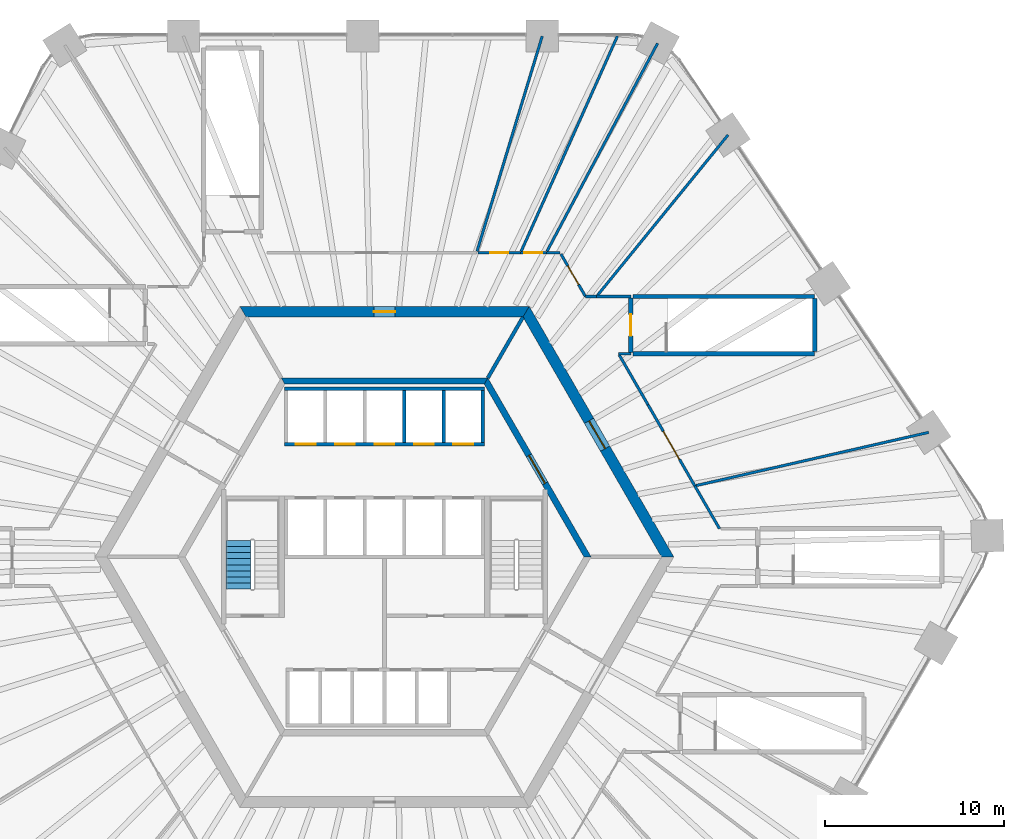
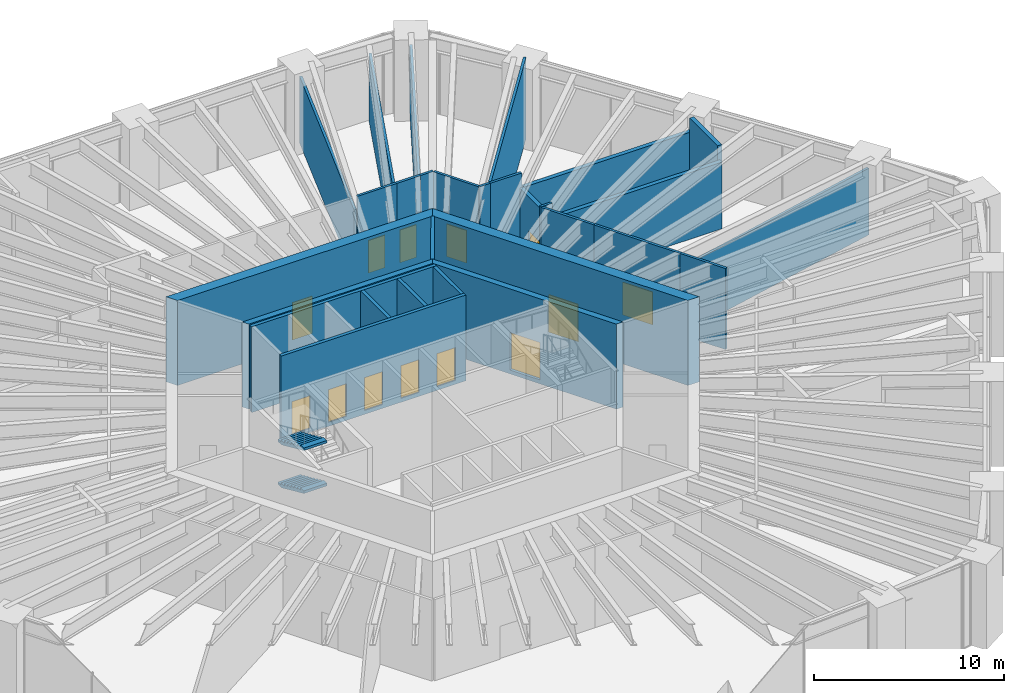
# One storey, part 23 of 25: 29 walls, 13 doors, 2 stair flights, 13 openings, 1 element without a shape of its own.
"""IFC4 building model written with IfcOpenShell, lengths in metres."""

from ifc_helpers import new_model, si_unit, direction, frame, frame_2d, origin, place, context, subcontext, project, spatial, polyline, rectangle, outline, extrude, material, layer, layer_set, type_object, element, fill, aggregate, save


model = new_model("IFC4")

# Units and contexts
model_context = context("Model", 3, precision=1e-05, world=origin(), true_north=direction((0.0, 1.0)))
body_context = subcontext(model_context, "Body", "Model", "MODEL_VIEW")
ifc_project = project(units=[si_unit("LENGTHUNIT", "METRE"), si_unit("AREAUNIT", "SQUARE_METRE"), si_unit("VOLUMEUNIT", "CUBIC_METRE"), si_unit("PLANEANGLEUNIT", "RADIAN"), si_unit("MASSUNIT", "GRAM", prefix="KILO")], contexts=[model_context])

# Site, building, storey
site_placement = place(None, origin())
site = spatial("IfcSite", under=ifc_project, at=site_placement, CompositionType="ELEMENT")
building_placement = place(site_placement, origin())
building = spatial("IfcBuilding", under=site, at=building_placement, Name="Tarnside Tower", CompositionType="ELEMENT")
storey_placement = place(building_placement, frame((0.0, 0.0, 26.0)))
storey = spatial("IfcBuildingStorey", under=building, at=storey_placement, Name="L04", CompositionType="ELEMENT", Elevation=26.0)

# Wall, opening, door
ifc_material_1 = material(Name="Concrete C50/60", Category="concrete")
ifc_layer_1 = layer(ifc_material_1, 0.35009765625)
ifc_layer_set_1 = layer_set([ifc_layer_1], Name="Core block wall 350 C50/60")
wall_type_1 = type_object("IfcWallType", Name="Core block wall 350 C50/60", PredefinedType="SHEAR", material=ifc_layer_set_1)
wall_1_placement = place(storey_placement, frame((11.344970703125, 0.0, -0.25), z_axis=(0.0, 0.0, 1.0), x_axis=(-0.499995046907, 0.866028263435, 0.0)))
wall_1 = element("IfcWall", 1, at=wall_1_placement, inside=storey, type_object=wall_type_1, Name="L04 core block wall face 6", PredefinedType="SHEAR", context=body_context, shape_type="SweptSolid", body=[
    extrude(outline(polyline([(-0.10107421875, -0.175048828125), (11.44580078125, -0.175048828125), (11.24365234375, 0.175048828125), (0.10107421875, 0.175048828125), (-0.10107421875, -0.175048828125)])), origin(), (0.0, 0.0, 1.0), 5.449951171875),
])
opening_1_placement = place(wall_1_placement, frame((4.74365234375, 0.0, 0.25)))
opening_1 = element("IfcOpeningElement", 2, at=opening_1_placement, cuts=wall_1, Name="Opening CD-LOB", PredefinedType="OPENING", context=body_context, shape_type="SweptSolid", body=[
    extrude(rectangle(XDim=1.800048828125, YDim=2.39990234375, at=frame_2d((0.89990234375, 1.199951171875))), frame((0.0, 0.18505859375, 0.0), z_axis=(0.0, -1.0, 0.0), x_axis=(1.0, 0.0, 0.0)), (0.0, 0.0, 1.0), 0.3701171875),
])
ifc_material_2 = material(Name="Steel fire door", Category="steel")
door_type_1 = type_object("IfcDoorType", Name="Lobby double door FD30S 1800x2400", OperationType="NOTDEFINED", PredefinedType="DOOR", material=ifc_material_2)
door_1_placement = place(opening_1_placement, origin())
door_1 = element("IfcDoor", 3, at=door_1_placement, inside=storey, type_object=door_type_1, Name="L04 lobby block door P2", OperationType="DOUBLE_DOOR_SINGLE_SWING", OverallHeight=2.39990234375, OverallWidth=1.800048828125, PredefinedType="DOOR", context=body_context, shape_type="SweptSolid", body=[
    extrude(rectangle(XDim=1.800048828125, YDim=2.39990234375, at=frame_2d((0.89990234375, 1.199951171875))), frame((0.0, 0.02490234375, 0.0), z_axis=(0.0, -1.0, 0.0), x_axis=(1.0, 0.0, 0.0)), (0.0, 0.0, 1.0), 0.050048828125),
])
fill(opening_1, door_1)

# Wall
wall_2_placement = place(storey_placement, frame((5.672607421875, 9.824951171875, -0.25), z_axis=(0.0, 0.0, 1.0), x_axis=(-1.0, 0.0, 0.0)))
element("IfcWall", 4, at=wall_2_placement, inside=storey, type_object=wall_type_1, Name="L04 core block wall face 1", PredefinedType="SHEAR", context=body_context, shape_type="SweptSolid", body=[
    extrude(outline(polyline([(-0.10107421875, -0.175048828125), (11.4462890625, -0.175048828125), (11.244140625, 0.175048828125), (0.10107421875, 0.175048828125), (-0.10107421875, -0.175048828125)])), origin(), (0.0, 0.0, 1.0), 5.449951171875),
])

# Wall, opening, door
ifc_material_3 = material(Name="Concrete C80/95", Category="concrete")
ifc_layer_2 = layer(ifc_material_3, 0.60009765625)
ifc_layer_set_2 = layer_set([ifc_layer_2], Name="Core wall Z1 600 C80/95")
wall_type_2 = type_object("IfcWallType", Name="Core wall Z1 600 C80/95", PredefinedType="SHEAR", material=ifc_layer_set_2)
wall_3_placement = place(storey_placement, frame((15.8193359375, 0.0, -0.25), z_axis=(0.0, 0.0, 1.0), x_axis=(-0.499999880136, 0.866025472988, 0.0)))
wall_3 = element("IfcWall", 5, at=wall_3_placement, inside=storey, type_object=wall_type_2, Name="L04 core wall face 6", PredefinedType="SHEAR", context=body_context, shape_type="SweptSolid", body=[
    extrude(outline(polyline([(-0.17333984375, -0.300048828125), (15.99267578125, -0.300048828125), (15.64599609375, 0.300048828125), (0.17333984375, 0.300048828125), (-0.17333984375, -0.300048828125)])), origin(), (0.0, 0.0, 1.0), 5.449951171875),
])
opening_2_placement = place(wall_3_placement, frame((6.980712890625, 0.0, 0.25)))
opening_2 = element("IfcOpeningElement", 6, at=opening_2_placement, cuts=wall_3, Name="Opening CD-LOB", PredefinedType="OPENING", context=body_context, shape_type="SweptSolid", body=[
    extrude(rectangle(XDim=1.800048828125, YDim=2.39990234375, at=frame_2d((0.89990234375, 1.199951171875))), frame((0.0, 0.31005859375, 0.0), z_axis=(0.0, -1.0, 0.0), x_axis=(1.0, 0.0, 0.0)), (0.0, 0.0, 1.0), 0.6201171875),
])
door_2_placement = place(opening_2_placement, origin())
door_2 = element("IfcDoor", 7, at=door_2_placement, inside=storey, type_object=door_type_1, Name="L04 core door P2", OperationType="DOUBLE_DOOR_SINGLE_SWING", OverallHeight=2.39990234375, OverallWidth=1.800048828125, PredefinedType="DOOR", context=body_context, shape_type="SweptSolid", body=[
    extrude(rectangle(XDim=1.800048828125, YDim=2.39990234375, at=frame_2d((0.89990234375, 1.199951171875))), frame((0.0, 0.02490234375, 0.0), z_axis=(0.0, -1.0, 0.0), x_axis=(1.0, 0.0, 0.0)), (0.0, 0.0, 1.0), 0.050048828125),
])
fill(opening_2, door_2)

wall_4_placement = place(storey_placement, frame((7.90966796875, 13.699951171875, -0.25), z_axis=(0.0, 0.0, 1.0), x_axis=(-1.0, 0.0, 0.0)))
wall_4 = element("IfcWall", 8, at=wall_4_placement, inside=storey, type_object=wall_type_2, Name="L04 core wall face 1", PredefinedType="SHEAR", context=body_context, shape_type="SweptSolid", body=[
    extrude(outline(polyline([(-0.17333984375, -0.300048828125), (15.99267578125, -0.300048828125), (15.64599609375, 0.300048828125), (0.17333984375, 0.300048828125), (-0.17333984375, -0.300048828125)])), origin(), (0.0, 0.0, 1.0), 5.449951171875),
])
opening_3_placement = place(wall_4_placement, frame((7.309814453125, 0.0, 0.25)))
opening_3 = element("IfcOpeningElement", 9, at=opening_3_placement, cuts=wall_4, Name="Opening CD-RSR", PredefinedType="OPENING", context=body_context, shape_type="SweptSolid", body=[
    extrude(rectangle(XDim=1.199951171875, YDim=2.39990234375, at=frame_2d((0.60009765625, 1.199951171875))), frame((0.0, 0.31005859375, 0.0), z_axis=(0.0, -1.0, 0.0), x_axis=(1.0, 0.0, 0.0)), (0.0, 0.0, 1.0), 0.6201171875),
])
door_type_2 = type_object("IfcDoorType", Name="Riser door FD60 1200x2400", OperationType="NOTDEFINED", PredefinedType="DOOR", material=ifc_material_2)
door_3_placement = place(opening_3_placement, origin())
door_3 = element("IfcDoor", 10, at=door_3_placement, inside=storey, type_object=door_type_2, Name="L04 core door S5", OperationType="SINGLE_SWING_LEFT", OverallHeight=2.39990234375, OverallWidth=1.199951171875, PredefinedType="DOOR", context=body_context, shape_type="SweptSolid", body=[
    extrude(rectangle(XDim=1.199951171875, YDim=2.39990234375, at=frame_2d((0.60009765625, 1.199951171875))), frame((0.0, 0.02490234375, 0.0), z_axis=(0.0, -1.0, 0.0), x_axis=(1.0, 0.0, 0.0)), (0.0, 0.0, 1.0), 0.050048828125),
])
fill(opening_3, door_3)

# Wall, openings, doors
ifc_material_4 = material(Name="Concrete C40/50", Category="concrete")
ifc_layer_3 = layer(ifc_material_4, 0.199951171875)
ifc_layer_set_3 = layer_set([ifc_layer_3], Name="Lift shaft wall 200 C40/50")
wall_type_3 = type_object("IfcWallType", Name="Lift shaft wall 200 C40/50", PredefinedType="SHEAR", material=ifc_layer_set_3)
wall_5_placement = place(storey_placement, frame((-5.60009765625, 6.300048828125, -0.25), z_axis=(0.0, 0.0, 1.0), x_axis=(1.0, 0.0, 0.0)))
wall_5 = element("IfcWall", 11, at=wall_5_placement, inside=storey, type_object=wall_type_3, Name="L04 lift shaft front wall R1", PredefinedType="SHEAR", context=body_context, shape_type="SweptSolid", body=[
    extrude(rectangle(XDim=11.2001953125, YDim=0.199951171875, at=frame_2d((5.60009765625, 0.0))), origin(), (0.0, 0.0, 1.0), 5.5),
])
opening_4_placement = place(wall_5_placement, frame((0.64990234375, 0.0, 0.25)))
opening_4 = element("IfcOpeningElement", 12, at=opening_4_placement, cuts=wall_5, Name="Opening LD", PredefinedType="OPENING", context=body_context, shape_type="SweptSolid", body=[
    extrude(rectangle(XDim=1.10009765625, YDim=2.10009765625, at=frame_2d((0.550048828125, 1.050048828125))), frame((0.0, 0.10986328125, 0.0), z_axis=(0.0, -1.0, 0.0), x_axis=(1.0, 0.0, 0.0)), (0.0, 0.0, 1.0), 0.219970703125),
])
opening_5_placement = place(wall_5_placement, frame((2.85009765625, 0.0, 0.25)))
opening_5 = element("IfcOpeningElement", 13, at=opening_5_placement, cuts=wall_5, Name="Opening LD", PredefinedType="OPENING", context=body_context, shape_type="SweptSolid", body=[
    extrude(rectangle(XDim=1.10009765625, YDim=2.10009765625, at=frame_2d((0.550048828125, 1.050048828125))), frame((0.0, 0.10986328125, 0.0), z_axis=(0.0, -1.0, 0.0), x_axis=(1.0, 0.0, 0.0)), (0.0, 0.0, 1.0), 0.219970703125),
])
opening_6_placement = place(wall_5_placement, frame((5.050048828125, 0.0, 0.25)))
opening_6 = element("IfcOpeningElement", 14, at=opening_6_placement, cuts=wall_5, Name="Opening LD", PredefinedType="OPENING", context=body_context, shape_type="SweptSolid", body=[
    extrude(rectangle(XDim=1.10009765625, YDim=2.10009765625, at=frame_2d((0.550048828125, 1.050048828125))), frame((0.0, 0.10986328125, 0.0), z_axis=(0.0, -1.0, 0.0), x_axis=(1.0, 0.0, 0.0)), (0.0, 0.0, 1.0), 0.219970703125),
])
opening_7_placement = place(wall_5_placement, frame((7.25, 0.0, 0.25)))
opening_7 = element("IfcOpeningElement", 15, at=opening_7_placement, cuts=wall_5, Name="Opening LD", PredefinedType="OPENING", context=body_context, shape_type="SweptSolid", body=[
    extrude(rectangle(XDim=1.10009765625, YDim=2.10009765625, at=frame_2d((0.550048828125, 1.050048828125))), frame((0.0, 0.10986328125, 0.0), z_axis=(0.0, -1.0, 0.0), x_axis=(1.0, 0.0, 0.0)), (0.0, 0.0, 1.0), 0.219970703125),
])
opening_8_placement = place(wall_5_placement, frame((9.449951171875, 0.0, 0.25)))
opening_8 = element("IfcOpeningElement", 16, at=opening_8_placement, cuts=wall_5, Name="Opening LD", PredefinedType="OPENING", context=body_context, shape_type="SweptSolid", body=[
    extrude(rectangle(XDim=1.10009765625, YDim=2.10009765625, at=frame_2d((0.550048828125, 1.050048828125))), frame((0.0, 0.10986328125, 0.0), z_axis=(0.0, -1.0, 0.0), x_axis=(1.0, 0.0, 0.0)), (0.0, 0.0, 1.0), 0.219970703125),
])
ifc_material_5 = material(Name="Stainless steel", Category="steel")
door_type_3 = type_object("IfcDoorType", Name="Lift landing door 1100x2100", OperationType="NOTDEFINED", PredefinedType="DOOR", material=ifc_material_5)
door_4_placement = place(opening_4_placement, origin())
door_4 = element("IfcDoor", 17, at=door_4_placement, inside=storey, type_object=door_type_3, Name="Low-rise lift 1 landing door L04", OperationType="SLIDING_TO_LEFT", OverallHeight=2.10009765625, OverallWidth=1.10009765625, PredefinedType="DOOR", context=body_context, shape_type="SweptSolid", body=[
    extrude(rectangle(XDim=1.10009765625, YDim=2.10009765625, at=frame_2d((0.550048828125, 1.050048828125))), frame((0.0, 0.02490234375, 0.0), z_axis=(0.0, -1.0, 0.0), x_axis=(1.0, 0.0, 0.0)), (0.0, 0.0, 1.0), 0.050048828125),
])
fill(opening_4, door_4)
door_5_placement = place(opening_5_placement, origin())
door_5 = element("IfcDoor", 18, at=door_5_placement, inside=storey, type_object=door_type_3, Name="Low-rise lift 2 landing door L04", OperationType="SLIDING_TO_LEFT", OverallHeight=2.10009765625, OverallWidth=1.10009765625, PredefinedType="DOOR", context=body_context, shape_type="SweptSolid", body=[
    extrude(rectangle(XDim=1.10009765625, YDim=2.10009765625, at=frame_2d((0.550048828125, 1.050048828125))), frame((0.0, 0.02490234375, 0.0), z_axis=(0.0, -1.0, 0.0), x_axis=(1.0, 0.0, 0.0)), (0.0, 0.0, 1.0), 0.050048828125),
])
fill(opening_5, door_5)
door_6_placement = place(opening_6_placement, origin())
door_6 = element("IfcDoor", 19, at=door_6_placement, inside=storey, type_object=door_type_3, Name="Low-rise lift 3 landing door L04", OperationType="SLIDING_TO_LEFT", OverallHeight=2.10009765625, OverallWidth=1.10009765625, PredefinedType="DOOR", context=body_context, shape_type="SweptSolid", body=[
    extrude(rectangle(XDim=1.10009765625, YDim=2.10009765625, at=frame_2d((0.550048828125, 1.050048828125))), frame((0.0, 0.02490234375, 0.0), z_axis=(0.0, -1.0, 0.0), x_axis=(1.0, 0.0, 0.0)), (0.0, 0.0, 1.0), 0.050048828125),
])
fill(opening_6, door_6)
door_7_placement = place(opening_7_placement, origin())
door_7 = element("IfcDoor", 20, at=door_7_placement, inside=storey, type_object=door_type_3, Name="Low sky-lobby shuttle 1 landing door L04", OperationType="SLIDING_TO_LEFT", OverallHeight=2.10009765625, OverallWidth=1.10009765625, PredefinedType="DOOR", context=body_context, shape_type="SweptSolid", body=[
    extrude(rectangle(XDim=1.10009765625, YDim=2.10009765625, at=frame_2d((0.550048828125, 1.050048828125))), frame((0.0, 0.02490234375, 0.0), z_axis=(0.0, -1.0, 0.0), x_axis=(1.0, 0.0, 0.0)), (0.0, 0.0, 1.0), 0.050048828125),
])
fill(opening_7, door_7)
door_8_placement = place(opening_8_placement, origin())
door_8 = element("IfcDoor", 21, at=door_8_placement, inside=storey, type_object=door_type_3, Name="Low sky-lobby shuttle 2 landing door L04", OperationType="SLIDING_TO_LEFT", OverallHeight=2.10009765625, OverallWidth=1.10009765625, PredefinedType="DOOR", context=body_context, shape_type="SweptSolid", body=[
    extrude(rectangle(XDim=1.10009765625, YDim=2.10009765625, at=frame_2d((0.550048828125, 1.050048828125))), frame((0.0, 0.02490234375, 0.0), z_axis=(0.0, -1.0, 0.0), x_axis=(1.0, 0.0, 0.0)), (0.0, 0.0, 1.0), 0.050048828125),
])
fill(opening_8, door_8)

# Walls
wall_6_placement = place(storey_placement, frame((-5.60009765625, 9.39990234375, -0.25), z_axis=(0.0, 0.0, 1.0), x_axis=(1.0, 0.0, 0.0)))
element("IfcWall", 22, at=wall_6_placement, inside=storey, type_object=wall_type_3, Name="L04 lift shaft back wall R1", PredefinedType="SHEAR", context=body_context, shape_type="SweptSolid", body=[
    extrude(rectangle(XDim=11.2001953125, YDim=0.199951171875, at=frame_2d((5.60009765625, 0.0))), origin(), (0.0, 0.0, 1.0), 5.5),
])
for number, where, z_axis, x_axis, name in (
    (23, (1.10009765625, 6.39990234375, -0.25), (0.0, 0.0, 1.0), (0.0, 1.0, 0.0), "L04 lift shaft partition R14"),
    (24, (3.300048828125, 6.39990234375, -0.25), (0.0, 0.0, 1.0), (0.0, 1.0, 0.0), "L04 lift shaft partition R15"),
    (25, (5.5, 6.39990234375, -0.25), (0.0, 0.0, 1.0), (0.0, 1.0, 0.0), "L04 lift shaft partition R16"),
):
    element("IfcWall", number, at=place(storey_placement, frame(where, z_axis=z_axis, x_axis=x_axis)), inside=storey, type_object=wall_type_3, Name=name, PredefinedType="SHEAR", context=body_context, shape_type="SweptSolid", body=[
        extrude(rectangle(XDim=2.900146484375, YDim=0.199951171875, at=frame_2d((1.4501953125, 0.0))), origin(), (0.0, 0.0, 1.0), 5.5),
    ])
wall_7_placement = place(storey_placement, frame((5.7734375, 10.0, -0.25), z_axis=(0.0, 0.0, 1.0), x_axis=(0.500038251005, 0.86600331843, 0.0)))
element("IfcWall", 26, at=wall_7_placement, inside=storey, type_object=wall_type_3, Name="L04 core partition AR60", PredefinedType="SHEAR", context=body_context, shape_type="SweptSolid", body=[
    extrude(rectangle(XDim=3.926025390625, YDim=0.199951171875, at=frame_2d((1.962890625, 0.0))), origin(), (0.0, 0.0, 1.0), 5.449951171875),
])
ifc_material_6 = material(Name="Gypsum board")
ifc_layer_4 = layer(ifc_material_6, 0.14990234375)
ifc_layer_set_4 = layer_set([ifc_layer_4], Name="Partition 150 gypsum board on metal stud")
wall_type_4 = type_object("IfcWallType", Name="Partition 150 gypsum board on metal stud", PredefinedType="PARTITIONING", material=ifc_layer_set_4)
wall_8_placement = place(storey_placement, frame((5.170654296875, 17.074951171875, 0.0), z_axis=(0.0, 0.0, 1.0), x_axis=(0.289887131616, 0.957060839719, 0.0)))
element("IfcWall", 27, at=wall_8_placement, inside=storey, type_object=wall_type_4, Name="Partition 034", PredefinedType="PARTITIONING", context=body_context, shape_type="SweptSolid", body=[
    extrude(rectangle(XDim=12.564697265625, YDim=0.14990234375, at=frame_2d((6.2822265625, 0.0))), origin(), (0.0, 0.0, 1.0), 4.2734375),
])

# Wall, opening, door
wall_9_placement = place(storey_placement, frame((5.226318359375, 17.0, 0.0), z_axis=(0.0, 0.0, 1.0), x_axis=(1.0, 0.0, 0.0)))
wall_9 = element("IfcWall", 28, at=wall_9_placement, inside=storey, type_object=wall_type_4, Name="Partition 036", PredefinedType="PARTITIONING", context=body_context, shape_type="SweptSolid", body=[
    extrude(rectangle(XDim=2.376708984375, YDim=0.14990234375, at=frame_2d((1.1884765625, 0.0))), origin(), (0.0, 0.0, 1.0), 5.199951171875),
])
opening_9_placement = place(wall_9_placement, frame((0.688232421875, 0.0, 0.0)))
opening_9 = element("IfcOpeningElement", 29, at=opening_9_placement, cuts=wall_9, Name="Opening D1000F30", PredefinedType="OPENING", context=body_context, shape_type="SweptSolid", body=[
    extrude(rectangle(XDim=1.0, YDim=2.10009765625, at=frame_2d((0.5, 1.050048828125))), frame((0.0, 0.0849609375, 0.0), z_axis=(0.0, -1.0, 0.0), x_axis=(1.0, 0.0, 0.0)), (0.0, 0.0, 1.0), 0.169921875),
])
ifc_material_7 = material(Name="Timber door leaf", Category="wood")
door_type_4 = type_object("IfcDoorType", Name="Door 1000 x 2100 single leaf FD30S fire door", OperationType="NOTDEFINED", PredefinedType="DOOR", material=ifc_material_7)
door_9_placement = place(opening_9_placement, origin())
door_9 = element("IfcDoor", 30, at=door_9_placement, inside=storey, type_object=door_type_4, Name="Door L04-10", OperationType="SINGLE_SWING_LEFT", OverallHeight=2.10009765625, OverallWidth=1.0, PredefinedType="DOOR", context=body_context, shape_type="SweptSolid", body=[
    extrude(rectangle(XDim=1.0, YDim=2.10009765625, at=frame_2d((0.5, 1.050048828125))), frame((0.0, 0.02490234375, 0.0), z_axis=(0.0, -1.0, 0.0), x_axis=(1.0, 0.0, 0.0)), (0.0, 0.0, 1.0), 0.050048828125),
])
fill(opening_9, door_9)

wall_10_placement = place(storey_placement, frame((7.60302734375, 17.0, 0.0), z_axis=(0.0, 0.0, 1.0), x_axis=(1.0, 0.0, 0.0)))
wall_10 = element("IfcWall", 31, at=wall_10_placement, inside=storey, type_object=wall_type_4, Name="Partition 037", PredefinedType="PARTITIONING", context=body_context, shape_type="SweptSolid", body=[
    extrude(rectangle(XDim=1.43603515625, YDim=0.14990234375, at=frame_2d((0.718017578125, 0.0))), origin(), (0.0, 0.0, 1.0), 5.199951171875),
])
opening_10_placement = place(wall_10_placement, frame((0.218017578125, 0.0, 0.0)))
opening_10 = element("IfcOpeningElement", 32, at=opening_10_placement, cuts=wall_10, Name="Opening D1000", PredefinedType="OPENING", context=body_context, shape_type="SweptSolid", body=[
    extrude(rectangle(XDim=1.0, YDim=2.10009765625, at=frame_2d((0.5, 1.050048828125))), frame((0.0, 0.0849609375, 0.0), z_axis=(0.0, -1.0, 0.0), x_axis=(1.0, 0.0, 0.0)), (0.0, 0.0, 1.0), 0.169921875),
])
door_type_5 = type_object("IfcDoorType", Name="Door 1000 x 2100 single leaf", OperationType="NOTDEFINED", PredefinedType="DOOR", material=ifc_material_7)
door_10_placement = place(opening_10_placement, origin())
door_10 = element("IfcDoor", 33, at=door_10_placement, inside=storey, type_object=door_type_5, Name="Door L04-11", OperationType="SINGLE_SWING_RIGHT", OverallHeight=2.10009765625, OverallWidth=1.0, PredefinedType="DOOR", context=body_context, shape_type="SweptSolid", body=[
    extrude(rectangle(XDim=1.0, YDim=2.10009765625, at=frame_2d((0.5, 1.050048828125))), frame((0.0, 0.02490234375, 0.0), z_axis=(0.0, -1.0, 0.0), x_axis=(1.0, 0.0, 0.0)), (0.0, 0.0, 1.0), 0.050048828125),
])
fill(opening_10, door_10)

# Wall
wall_11_placement = place(storey_placement, frame((9.81494140625, 17.0, 0.0), z_axis=(0.0, 0.0, 1.0), x_axis=(-1.0, 0.0, 0.0)))
element("IfcWall", 34, at=wall_11_placement, inside=storey, type_object=wall_type_4, Name="Partition 039", PredefinedType="PARTITIONING", context=body_context, shape_type="SweptSolid", body=[
    extrude(rectangle(XDim=0.77587890625, YDim=0.14990234375, at=frame_2d((0.387939453125, 0.0))), origin(), (0.0, 0.0, 1.0), 5.199951171875),
])

# Wall, opening, door
wall_12_placement = place(storey_placement, frame((9.8583984375, 16.925048828125, 0.0), z_axis=(0.0, 0.0, 1.0), x_axis=(0.499835495421, -0.866120359718, 0.0)))
wall_12 = element("IfcWall", 35, at=wall_12_placement, inside=storey, type_object=wall_type_4, Name="Partition 041", PredefinedType="PARTITIONING", context=body_context, shape_type="SweptSolid", body=[
    extrude(rectangle(XDim=2.7421875, YDim=0.14990234375, at=frame_2d((1.37109375, 0.0))), origin(), (0.0, 0.0, 1.0), 5.199951171875),
])
opening_11_placement = place(wall_12_placement, frame((0.77099609375, 0.0, 0.0)))
opening_11 = element("IfcOpeningElement", 36, at=opening_11_placement, cuts=wall_12, Name="Opening D1200F30", PredefinedType="OPENING", context=body_context, shape_type="SweptSolid", body=[
    extrude(rectangle(XDim=1.199951171875, YDim=2.10009765625, at=frame_2d((0.60009765625, 1.050048828125))), frame((0.0, 0.0849609375, 0.0), z_axis=(0.0, -1.0, 0.0), x_axis=(1.0, 0.0, 0.0)), (0.0, 0.0, 1.0), 0.169921875),
])
door_type_6 = type_object("IfcDoorType", Name="Door 1200 x 2100 single leaf FD30S fire door", OperationType="NOTDEFINED", PredefinedType="DOOR", material=ifc_material_7)
door_11_placement = place(opening_11_placement, origin())
door_11 = element("IfcDoor", 37, at=door_11_placement, inside=storey, type_object=door_type_6, Name="Door L04-13", OperationType="SINGLE_SWING_RIGHT", OverallHeight=2.10009765625, OverallWidth=1.199951171875, PredefinedType="DOOR", context=body_context, shape_type="SweptSolid", body=[
    extrude(rectangle(XDim=1.199951171875, YDim=2.10009765625, at=frame_2d((0.60009765625, 1.050048828125))), frame((0.0, 0.02490234375, 0.0), z_axis=(0.0, -1.0, 0.0), x_axis=(1.0, 0.0, 0.0)), (0.0, 0.0, 1.0), 0.050048828125),
])
fill(opening_11, door_11)

# Walls
wall_13_placement = place(storey_placement, frame((11.22998046875, 14.550048828125, 0.0), z_axis=(0.0, 0.0, 1.0), x_axis=(1.0, 0.0, 0.0)))
element("IfcWall", 38, at=wall_13_placement, inside=storey, type_object=wall_type_4, Name="Partition 042", PredefinedType="PARTITIONING", context=body_context, shape_type="SweptSolid", body=[
    extrude(rectangle(XDim=0.62890625, YDim=0.14990234375, at=frame_2d((0.314453125, 0.0))), origin(), (0.0, 0.0, 1.0), 5.199951171875),
])
wall_14_placement = place(storey_placement, frame((11.8359375, 14.550048828125, 0.0), z_axis=(0.0, 0.0, 1.0), x_axis=(1.0, 0.0, 0.0)))
element("IfcWall", 39, at=wall_14_placement, inside=storey, type_object=wall_type_4, Name="Partition 043", PredefinedType="PARTITIONING", context=body_context, shape_type="SweptSolid", body=[
    extrude(rectangle(XDim=1.928955078125, YDim=0.14990234375, at=frame_2d((0.96435546875, 0.0))), origin(), (0.0, 0.0, 1.0), 5.199951171875),
])
wall_15_placement = place(storey_placement, frame((13.014892578125, 29.10009765625, 0.0), z_axis=(0.0, 0.0, 1.0), x_axis=(-0.408286813769, -0.912853700054, 0.0)))
element("IfcWall", 40, at=wall_15_placement, inside=storey, type_object=wall_type_4, Name="Partition 045", PredefinedType="PARTITIONING", context=body_context, shape_type="SweptSolid", body=[
    extrude(rectangle(XDim=13.173095703125, YDim=0.14990234375, at=frame_2d((6.58642578125, 0.0))), origin(), (0.0, 0.0, 1.0), 4.2734375),
])
wall_16_placement = place(storey_placement, frame((13.764892578125, 11.35009765625, 0.0), z_axis=(0.0, 0.0, 1.0), x_axis=(-1.0, 0.0, 0.0)))
element("IfcWall", 41, at=wall_16_placement, inside=storey, type_object=wall_type_4, Name="Partition 046", PredefinedType="PARTITIONING", context=body_context, shape_type="SweptSolid", body=[
    extrude(rectangle(XDim=0.68798828125, YDim=0.14990234375, at=frame_2d((0.343994140625, 0.0))), origin(), (0.0, 0.0, 1.0), 5.199951171875),
])
wall_17_placement = place(storey_placement, frame((14.722900390625, 8.5, 0.0), z_axis=(0.0, 0.0, 1.0), x_axis=(-0.500104956678, 0.865964798538, 0.0)))
element("IfcWall", 42, at=wall_17_placement, inside=storey, type_object=wall_type_4, Name="Partition 050", PredefinedType="PARTITIONING", context=body_context, shape_type="SweptSolid", body=[
    extrude(rectangle(XDim=3.204345703125, YDim=0.14990234375, at=frame_2d((1.60205078125, 0.0))), origin(), (0.0, 0.0, 1.0), 5.199951171875),
])
wall_18_placement = place(storey_placement, frame((15.260986328125, 28.700927734375, 0.0), z_axis=(0.0, 0.0, 1.0), x_axis=(-0.469500426527, -0.882932245131, 0.0)))
element("IfcWall", 43, at=wall_18_placement, inside=storey, type_object=wall_type_4, Name="Partition 053", PredefinedType="PARTITIONING", context=body_context, shape_type="SweptSolid", body=[
    extrude(rectangle(XDim=13.16748046875, YDim=0.14990234375, at=frame_2d((6.583740234375, 0.0))), origin(), (0.0, 0.0, 1.0), 4.2734375),
])

# Wall, opening, door
wall_19_placement = place(storey_placement, frame((14.722900390625, 8.5, 0.0), z_axis=(0.0, 0.0, 1.0), x_axis=(0.499952654668, -0.866052736899, 0.0)))
wall_19 = element("IfcWall", 44, at=wall_19_placement, inside=storey, type_object=wall_type_4, Name="Partition 057", PredefinedType="PARTITIONING", context=body_context, shape_type="SweptSolid", body=[
    extrude(rectangle(XDim=5.23291015625, YDim=0.14990234375, at=frame_2d((2.616455078125, 0.0))), origin(), (0.0, 0.0, 1.0), 5.199951171875),
])
opening_12_placement = place(wall_19_placement, frame((1.71630859375, 0.0, 0.0)))
opening_12 = element("IfcOpeningElement", 45, at=opening_12_placement, cuts=wall_19, Name="Opening D1800F30", PredefinedType="OPENING", context=body_context, shape_type="SweptSolid", body=[
    extrude(rectangle(XDim=1.800048828125, YDim=2.10009765625, at=frame_2d((0.89990234375, 1.050048828125))), frame((0.0, 0.0849609375, 0.0), z_axis=(0.0, -1.0, 0.0), x_axis=(1.0, 0.0, 0.0)), (0.0, 0.0, 1.0), 0.169921875),
])
door_type_7 = type_object("IfcDoorType", Name="Door pair 1800 x 2100 FD30S fire door", OperationType="NOTDEFINED", PredefinedType="DOOR", material=ifc_material_7)
door_12_placement = place(opening_12_placement, origin())
door_12 = element("IfcDoor", 46, at=door_12_placement, inside=storey, type_object=door_type_7, Name="Door L04-19", OperationType="DOUBLE_DOOR_SINGLE_SWING", OverallHeight=2.10009765625, OverallWidth=1.800048828125, PredefinedType="DOOR", context=body_context, shape_type="SweptSolid", body=[
    extrude(rectangle(XDim=1.800048828125, YDim=2.10009765625, at=frame_2d((0.89990234375, 1.050048828125))), frame((0.0, 0.02490234375, 0.0), z_axis=(0.0, -1.0, 0.0), x_axis=(1.0, 0.0, 0.0)), (0.0, 0.0, 1.0), 0.050048828125),
])
fill(opening_12, door_12)

# Walls
wall_20_placement = place(storey_placement, frame((18.720947265625, 1.574951171875, 0.0), z_axis=(0.0, 0.0, 1.0), x_axis=(-0.500053847239, 0.865994312834, 0.0)))
element("IfcWall", 47, at=wall_20_placement, inside=storey, type_object=wall_type_4, Name="Partition 058", PredefinedType="PARTITIONING", context=body_context, shape_type="SweptSolid", body=[
    extrude(rectangle(XDim=2.763427734375, YDim=0.14990234375, at=frame_2d((1.3818359375, 0.0))), origin(), (0.0, 0.0, 1.0), 5.199951171875),
])
wall_21_placement = place(storey_placement, frame((19.197021484375, 23.577880859375, 0.0), z_axis=(0.0, 0.0, 1.0), x_axis=(-0.631417805909, -0.775442811805, 0.0)))
element("IfcWall", 48, at=wall_21_placement, inside=storey, type_object=wall_type_4, Name="Partition 060", PredefinedType="PARTITIONING", context=body_context, shape_type="SweptSolid", body=[
    extrude(rectangle(XDim=11.54541015625, YDim=0.14990234375, at=frame_2d((5.772705078125, 0.0))), origin(), (0.0, 0.0, 1.0), 5.199951171875),
])
wall_22_placement = place(storey_placement, frame((30.406982421875, 6.9580078125, 0.0), z_axis=(0.0, 0.0, 1.0), x_axis=(-0.974810618682, -0.223034207477, 0.0)))
element("IfcWall", 49, at=wall_22_placement, inside=storey, type_object=wall_type_4, Name="Partition 072", PredefinedType="PARTITIONING", context=body_context, shape_type="SweptSolid", body=[
    extrude(rectangle(XDim=13.3271484375, YDim=0.14990234375, at=frame_2d((6.66357421875, 0.0))), origin(), (0.0, 0.0, 1.0), 4.2734375),
])

# Wall, opening, door
ifc_material_8 = material(Name="Concrete C32/40", Category="concrete")
ifc_layer_5 = layer(ifc_material_8, 0.25)
ifc_layer_set_5 = layer_set([ifc_layer_5], Name="Wall 250 reinforced Concrete C32/40")
wall_type_5 = type_object("IfcWallType", Name="Wall 250 reinforced Concrete C32/40", PredefinedType="PARTITIONING", material=ifc_layer_set_5)
wall_23_placement = place(storey_placement, frame((13.764892578125, 11.425048828125, 0.0), z_axis=(0.0, 0.0, 1.0), x_axis=(0.0, 1.0, 0.0)))
wall_23 = element("IfcWall", 50, at=wall_23_placement, inside=storey, type_object=wall_type_5, Name="Partition 047", PredefinedType="PARTITIONING", context=body_context, shape_type="SweptSolid", body=[
    extrude(rectangle(XDim=3.050048828125, YDim=0.25, at=frame_2d((1.52490234375, 0.0))), origin(), (0.0, 0.0, 1.0), 4.2734375),
])
opening_13_placement = place(wall_23_placement, frame((0.925048828125, 0.0, 0.0)))
opening_13 = element("IfcOpeningElement", 51, at=opening_13_placement, cuts=wall_23, Name="Opening D1200F60S", PredefinedType="OPENING", context=body_context, shape_type="SweptSolid", body=[
    extrude(rectangle(XDim=1.199951171875, YDim=2.10009765625, at=frame_2d((0.60009765625, 1.050048828125))), frame((0.0, 0.135009765625, 0.0), z_axis=(0.0, -1.0, 0.0), x_axis=(1.0, 0.0, 0.0)), (0.0, 0.0, 1.0), 0.27001953125),
])
door_type_8 = type_object("IfcDoorType", Name="Door 1200 x 2100 single leaf FD60S fire door", OperationType="NOTDEFINED", PredefinedType="DOOR", material=ifc_material_7)
door_13_placement = place(opening_13_placement, origin())
door_13 = element("IfcDoor", 52, at=door_13_placement, inside=storey, type_object=door_type_8, Name="Door L04-15", OperationType="SINGLE_SWING_RIGHT", OverallHeight=2.10009765625, OverallWidth=1.199951171875, PredefinedType="DOOR", context=body_context, shape_type="SweptSolid", body=[
    extrude(rectangle(XDim=1.199951171875, YDim=2.10009765625, at=frame_2d((0.60009765625, 1.050048828125))), frame((0.0, 0.02490234375, 0.0), z_axis=(0.0, -1.0, 0.0), x_axis=(1.0, 0.0, 0.0)), (0.0, 0.0, 1.0), 0.050048828125),
])
fill(opening_13, door_13)

# Walls
for number, where, z_axis, x_axis, name in (
    (53, (13.889892578125, 14.550048828125, 0.0), (0.0, 0.0, 1.0), (1.0, 0.0, 0.0), "Partition 048"),
    (54, (24.034912109375, 11.35009765625, 0.0), (0.0, 0.0, 1.0), (-1.0, 0.0, 0.0), "Partition 067"),
):
    element("IfcWall", number, at=place(storey_placement, frame(where, z_axis=z_axis, x_axis=x_axis)), inside=storey, type_object=wall_type_5, Name=name, PredefinedType="PARTITIONING", context=body_context, shape_type="SweptSolid", body=[
        extrude(rectangle(XDim=10.14501953125, YDim=0.25, at=frame_2d((5.072509765625, 0.0))), origin(), (0.0, 0.0, 1.0), 4.2734375),
    ])
wall_24_placement = place(storey_placement, frame((24.034912109375, 14.425048828125, 0.0), z_axis=(0.0, 0.0, 1.0), x_axis=(0.0, -1.0, 0.0)))
element("IfcWall", 55, at=wall_24_placement, inside=storey, type_object=wall_type_5, Name="Partition 068", PredefinedType="PARTITIONING", context=body_context, shape_type="SweptSolid", body=[
    extrude(rectangle(XDim=2.949951171875, YDim=0.25, at=frame_2d((1.47509765625, 0.0))), origin(), (0.0, 0.0, 1.0), 5.199951171875),
])

# Stair, stair flights
stair_type = type_object("IfcStairType", Name="Exit stair 1400 clear", PredefinedType="HALF_TURN_STAIR", material=ifc_material_4)
stair_placement = place(storey_placement, origin())
stair = element("IfcStair", 56, at=stair_placement, inside=storey, type_object=stair_type, Name="L04 Exit stair 2", PredefinedType="HALF_TURN_STAIR")
stair_flight_type = type_object("IfcStairFlightType", Name="Exit stair flight 1400", PredefinedType="STRAIGHT", material=ifc_material_4)
stair_flight_1_placement = place(storey_placement, frame((-8.14990234375, 0.919921875, 1.375), z_axis=(0.0, 0.0, 1.0), x_axis=(0.0, -1.0, 0.0)))
stair_flight_1 = element("IfcStairFlight", 57, at=stair_flight_1_placement, type_object=stair_flight_type, Name="ST2 flight 2", NumberOfRisers=9, NumberOfTreads=8, PredefinedType="STRAIGHT", RiserHeight=0.152777778, TreadLength=0.34, context=body_context, shape_type="SweptSolid", body=[
    extrude(outline(polyline([(0.0, 0.0), (0.0, 0.15283203125), (0.340087890625, 0.15283203125), (0.340087890625, 0.3056640625), (0.679931640625, 0.3056640625), (0.679931640625, 0.458251953125), (1.02001953125, 0.458251953125), (1.02001953125, 0.611083984375), (1.360107421875, 0.611083984375), (1.360107421875, 0.763916015625), (1.699951171875, 0.763916015625), (1.699951171875, 0.916748046875), (2.0400390625, 0.916748046875), (2.0400390625, 1.0693359375), (2.3798828125, 1.0693359375), (2.3798828125, 1.22216796875), (2.719970703125, 1.22216796875), (2.719970703125, 1.375), (2.719970703125, 1.057861328125), (0.36572265625, 0.0), (0.0, 0.0)])), frame((0.0, 0.699951171875, 0.0), z_axis=(0.0, -1.0, 0.0), x_axis=(1.0, 0.0, 0.0)), (0.0, 0.0, 1.0), 1.39990234375),
])
stair_flight_2_placement = place(storey_placement, frame((-8.14990234375, 0.919921875, 4.125), z_axis=(0.0, 0.0, 1.0), x_axis=(0.0, -1.0, 0.0)))
stair_flight_2 = element("IfcStairFlight", 58, at=stair_flight_2_placement, type_object=stair_flight_type, Name="ST2 flight 4", NumberOfRisers=9, NumberOfTreads=8, PredefinedType="STRAIGHT", RiserHeight=0.152777778, TreadLength=0.34, context=body_context, shape_type="SweptSolid", body=[
    extrude(outline(polyline([(0.0, 0.0), (0.0, 0.15283203125), (0.340087890625, 0.15283203125), (0.340087890625, 0.3056640625), (0.679931640625, 0.3056640625), (0.679931640625, 0.458251953125), (1.02001953125, 0.458251953125), (1.02001953125, 0.611083984375), (1.360107421875, 0.611083984375), (1.360107421875, 0.763916015625), (1.699951171875, 0.763916015625), (1.699951171875, 0.916748046875), (2.0400390625, 0.916748046875), (2.0400390625, 1.0693359375), (2.3798828125, 1.0693359375), (2.3798828125, 1.22216796875), (2.719970703125, 1.22216796875), (2.719970703125, 1.375), (2.719970703125, 1.057861328125), (0.36572265625, 0.0), (0.0, 0.0)])), frame((0.0, 0.699951171875, 0.0), z_axis=(0.0, -1.0, 0.0), x_axis=(1.0, 0.0, 0.0)), (0.0, 0.0, 1.0), 1.39990234375),
])
aggregate(stair, [stair_flight_1, stair_flight_2])

save(model, "model.ifc")
